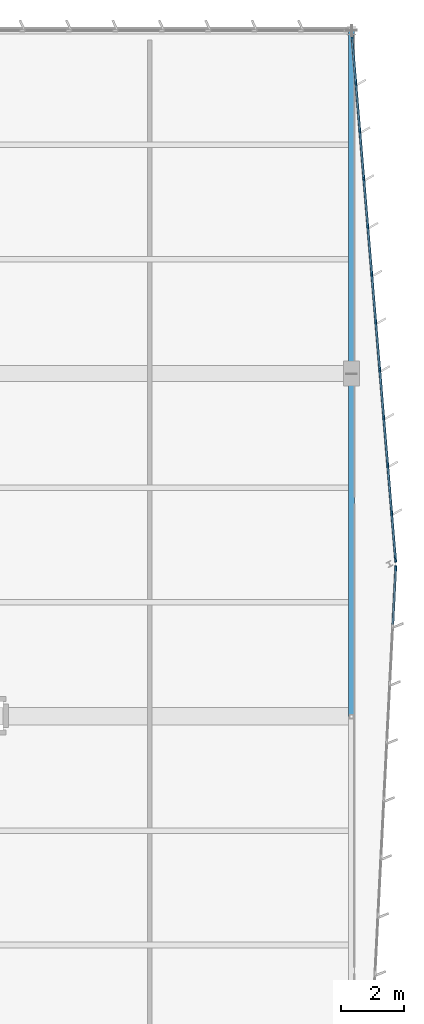
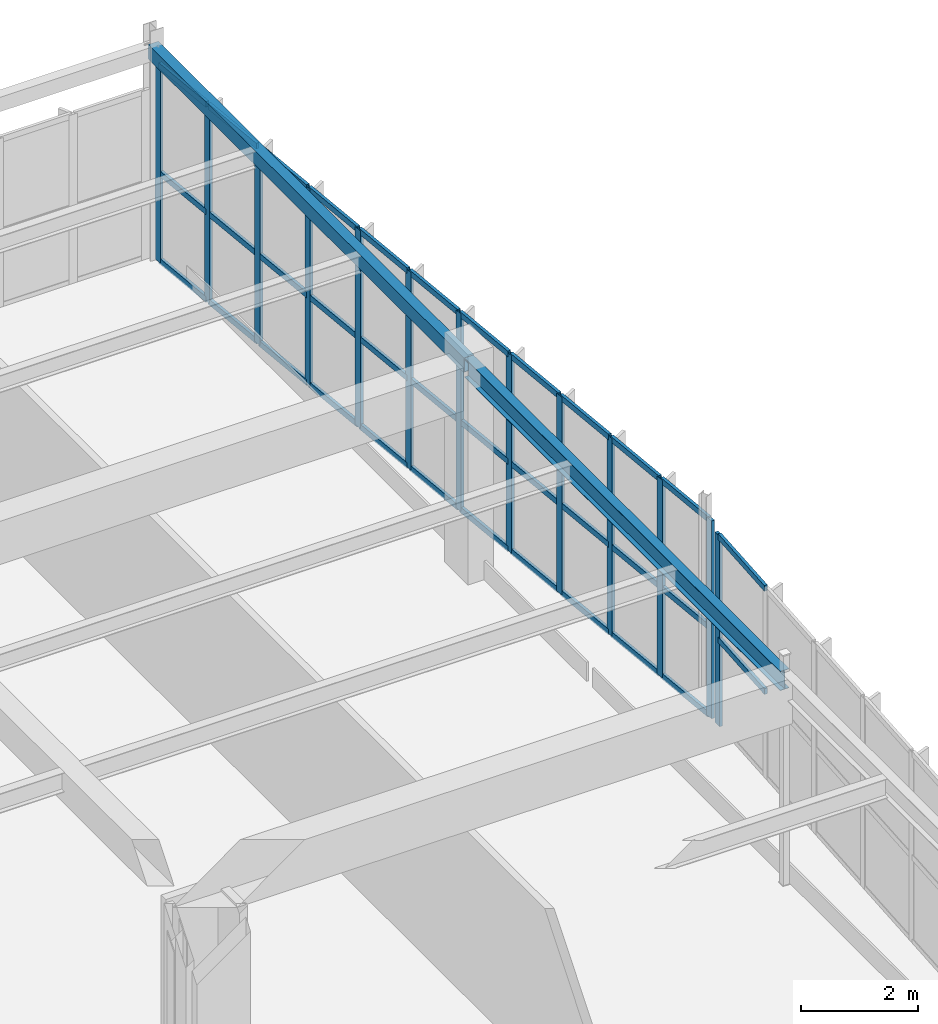
# One storey, part 134 of 226: 48 members, 2 beams, 2 elements without a shape of their own.
"""IFC4 building model written with IfcOpenShell, lengths in metres."""

from ifc_helpers import new_model, si_unit, direction, frame, origin, origin_2d, place, context, subcontext, project, spatial, rectangle, hollow_rectangle, i_section, extrude, material, layer, layer_set, material_profile, profile_set, type_object, element, aggregate, save


model = new_model("IFC4")

# Units and contexts
model_context = context("Model", 3, precision=1e-05, world=origin(), true_north=direction((0.0, 1.0)))
body_context = subcontext(model_context, "Body", "Model", "MODEL_VIEW")
ifc_project = project(units=[si_unit("LENGTHUNIT", "METRE"), si_unit("AREAUNIT", "SQUARE_METRE"), si_unit("VOLUMEUNIT", "CUBIC_METRE"), si_unit("PLANEANGLEUNIT", "RADIAN"), si_unit("MASSUNIT", "GRAM", prefix="KILO")], contexts=[model_context])

# Site, building, storey
site_placement = place(None, origin())
site = spatial("IfcSite", under=ifc_project, at=site_placement, CompositionType="ELEMENT")
building_placement = place(site_placement, origin())
building = spatial("IfcBuilding", under=site, at=building_placement, Name="Tarnwether General Hospital", CompositionType="ELEMENT")
storey_placement = place(building_placement, frame((0.0, 0.0, 4.800048828125)))
storey = spatial("IfcBuildingStorey", under=building, at=storey_placement, Name="L01", CompositionType="ELEMENT", Elevation=4.800048828125)

# Beams
ifc_material_1 = material(Name="Steel Grade 350 (350 MPa)", Category="steel")
ifc_material_profile_1 = material_profile(ifc_material_1, i_section(OverallWidth=0.177978515625, OverallDepth=0.403076171875, WebThickness=0.007568359375, FlangeThickness=0.010986328125, at=origin_2d()), Name="410UB53.7")
ifc_profile_set_1 = profile_set([ifc_material_profile_1], Name="Steel Grade 350 (350 MPa)")
beam_type_1 = type_object("IfcBeamType", Name="BM-SP2", PredefinedType="SPANDREL", material=ifc_profile_set_1)
beam_1_placement = place(storey_placement, frame((192.0, 104.39990234375, 4.243408203125), z_axis=(0.0, 1.0, 0.0), x_axis=(-1.0, 0.0, 0.0)))
element("IfcBeam", 1, at=beam_1_placement, inside=storey, type_object=beam_type_1, Name="Primary Girder BMG-L01-19200_10440-19200_11520-1289", PredefinedType="SPANDREL", context=body_context, shape_type="SweptSolid", body=[
    extrude(i_section(OverallWidth=0.177978515625, OverallDepth=0.403076171875, WebThickness=0.007568359375, FlangeThickness=0.010986328125, at=origin_2d()), origin(), (0.0, 0.0, 1.0), 10.800048828125),
])
ifc_material_2 = material(Name="Steel Grade C350L0 (350 MPa)", Category="steel")
ifc_material_profile_2 = material_profile(ifc_material_2, hollow_rectangle(XDim=0.199951171875, YDim=0.300048828125, WallThickness=0.012451171875, at=origin_2d()), Name="RHS300x200x12.5")
ifc_profile_set_2 = profile_set([ifc_material_profile_2], Name="Steel Grade C350L0 (350 MPa)")
beam_type_2 = type_object("IfcBeamType", Name="BM-SP3", PredefinedType="SPANDREL", material=ifc_profile_set_2)
beam_2_placement = place(storey_placement, frame((192.0, 115.199951171875, 4.294921875), z_axis=(0.0, 1.0, 0.0), x_axis=(-1.0, 0.0, 0.0)))
element("IfcBeam", 2, at=beam_2_placement, inside=storey, type_object=beam_type_2, Name="Primary Girder BMG-L01-19200_11520-19200_12600-1290", PredefinedType="SPANDREL", context=body_context, shape_type="SweptSolid", body=[
    extrude(hollow_rectangle(XDim=0.199951171875, YDim=0.300048828125, WallThickness=0.012451171875, at=origin_2d()), origin(), (0.0, 0.0, 1.0), 10.800048828125),
])

# Curtain wall, members
ifc_material_3 = material(Name="Anodised aluminium", Category="aluminium")
ifc_layer_1 = layer(ifc_material_3, 0.159912109375)
ifc_layer_set_1 = layer_set([ifc_layer_1], Name="Anodised aluminium")
curtain_wall_type_1 = type_object("IfcCurtainWallType", Name="CW-16", PredefinedType="NOTDEFINED", material=ifc_layer_set_1)
curtain_wall_1_placement = place(storey_placement, origin())
curtain_wall_1 = element("IfcCurtainWall", 3, at=curtain_wall_1_placement, inside=storey, type_object=curtain_wall_type_1, Name="Curtain Wall CWG-L01-1920_1259-0397", PredefinedType="NOTDEFINED")
ifc_material_4 = material(Name="Anodised aluminium", Category="aluminium")
ifc_material_profile_3 = material_profile(ifc_material_4, rectangle(XDim=0.06005859375, YDim=0.159912109375, at=origin_2d()), Name="ALU-MUL-60x160")
ifc_profile_set_3 = profile_set([ifc_material_profile_3], Name="Anodised aluminium")
member_type_1 = type_object("IfcMemberType", Name="CW-ML1", PredefinedType="MULLION", material=ifc_profile_set_3)
member_1_placement = place(storey_placement, frame((192.014404296875, 125.8251953125, 0.0), z_axis=(0.0, 0.0, 1.0), x_axis=(0.996544096364, 0.083065420017, 0.0)))
member_1 = element("IfcMember", 4, at=member_1_placement, type_object=member_type_1, Name="CW-16 mullion 1", PredefinedType="MULLION", context=body_context, shape_type="SweptSolid", body=[
    extrude(rectangle(XDim=0.06005859375, YDim=0.159912109375, at=origin_2d()), origin(), (0.0, 0.0, 1.0), 4.1298828125),
])
member_2_placement = place(storey_placement, frame((192.137451171875, 124.35107421875, 0.0), z_axis=(0.0, 0.0, 1.0), x_axis=(0.996544096364, 0.083065420017, 0.0)))
member_2 = element("IfcMember", 5, at=member_2_placement, type_object=member_type_1, Name="CW-16 mullion 2", PredefinedType="MULLION", context=body_context, shape_type="SweptSolid", body=[
    extrude(rectangle(XDim=0.06005859375, YDim=0.159912109375, at=origin_2d()), origin(), (0.0, 0.0, 1.0), 4.1298828125),
])
member_3_placement = place(storey_placement, frame((192.2626953125, 122.846923828125, 0.0), z_axis=(0.0, 0.0, 1.0), x_axis=(0.996544096364, 0.083065420017, 0.0)))
member_3 = element("IfcMember", 6, at=member_3_placement, type_object=member_type_1, Name="CW-16 mullion 3", PredefinedType="MULLION", context=body_context, shape_type="SweptSolid", body=[
    extrude(rectangle(XDim=0.06005859375, YDim=0.159912109375, at=origin_2d()), origin(), (0.0, 0.0, 1.0), 4.1298828125),
])
member_4_placement = place(storey_placement, frame((192.38818359375, 121.343017578125, 0.0), z_axis=(0.0, 0.0, 1.0), x_axis=(0.996544096364, 0.083065420017, 0.0)))
member_4 = element("IfcMember", 7, at=member_4_placement, type_object=member_type_1, Name="CW-16 mullion 4", PredefinedType="MULLION", context=body_context, shape_type="SweptSolid", body=[
    extrude(rectangle(XDim=0.06005859375, YDim=0.159912109375, at=origin_2d()), origin(), (0.0, 0.0, 1.0), 4.1298828125),
])
member_5_placement = place(storey_placement, frame((192.513427734375, 119.839111328125, 0.0), z_axis=(0.0, 0.0, 1.0), x_axis=(0.996544096364, 0.083065420017, 0.0)))
member_5 = element("IfcMember", 8, at=member_5_placement, type_object=member_type_1, Name="CW-16 mullion 5", PredefinedType="MULLION", context=body_context, shape_type="SweptSolid", body=[
    extrude(rectangle(XDim=0.06005859375, YDim=0.159912109375, at=origin_2d()), origin(), (0.0, 0.0, 1.0), 4.1298828125),
])
member_6_placement = place(storey_placement, frame((192.638916015625, 118.3349609375, 0.0), z_axis=(0.0, 0.0, 1.0), x_axis=(0.996544096364, 0.083065420017, 0.0)))
member_6 = element("IfcMember", 9, at=member_6_placement, type_object=member_type_1, Name="CW-16 mullion 6", PredefinedType="MULLION", context=body_context, shape_type="SweptSolid", body=[
    extrude(rectangle(XDim=0.06005859375, YDim=0.159912109375, at=origin_2d()), origin(), (0.0, 0.0, 1.0), 4.1298828125),
])
member_7_placement = place(storey_placement, frame((192.76416015625, 116.8310546875, 0.0), z_axis=(0.0, 0.0, 1.0), x_axis=(0.996544096364, 0.083065420017, 0.0)))
member_7 = element("IfcMember", 10, at=member_7_placement, type_object=member_type_1, Name="CW-16 mullion 7", PredefinedType="MULLION", context=body_context, shape_type="SweptSolid", body=[
    extrude(rectangle(XDim=0.06005859375, YDim=0.159912109375, at=origin_2d()), origin(), (0.0, 0.0, 1.0), 4.1298828125),
])
member_8_placement = place(storey_placement, frame((192.8896484375, 115.326904296875, 0.0), z_axis=(0.0, 0.0, 1.0), x_axis=(0.996544096364, 0.083065420017, 0.0)))
member_8 = element("IfcMember", 11, at=member_8_placement, type_object=member_type_1, Name="CW-16 mullion 8", PredefinedType="MULLION", context=body_context, shape_type="SweptSolid", body=[
    extrude(rectangle(XDim=0.06005859375, YDim=0.159912109375, at=origin_2d()), origin(), (0.0, 0.0, 1.0), 4.1298828125),
])
member_9_placement = place(storey_placement, frame((193.014892578125, 113.822998046875, 0.0), z_axis=(0.0, 0.0, 1.0), x_axis=(0.996544096364, 0.083065420017, 0.0)))
member_9 = element("IfcMember", 12, at=member_9_placement, type_object=member_type_1, Name="CW-16 mullion 9", PredefinedType="MULLION", context=body_context, shape_type="SweptSolid", body=[
    extrude(rectangle(XDim=0.06005859375, YDim=0.159912109375, at=origin_2d()), origin(), (0.0, 0.0, 1.0), 4.1298828125),
])
member_10_placement = place(storey_placement, frame((193.140380859375, 112.319091796875, 0.0), z_axis=(0.0, 0.0, 1.0), x_axis=(0.996544096364, 0.083065420017, 0.0)))
member_10 = element("IfcMember", 13, at=member_10_placement, type_object=member_type_1, Name="CW-16 mullion 10", PredefinedType="MULLION", context=body_context, shape_type="SweptSolid", body=[
    extrude(rectangle(XDim=0.06005859375, YDim=0.159912109375, at=origin_2d()), origin(), (0.0, 0.0, 1.0), 4.1298828125),
])
member_11_placement = place(storey_placement, frame((193.265625, 110.81494140625, 0.0), z_axis=(0.0, 0.0, 1.0), x_axis=(0.996544096364, 0.083065420017, 0.0)))
member_11 = element("IfcMember", 14, at=member_11_placement, type_object=member_type_1, Name="CW-16 mullion 11", PredefinedType="MULLION", context=body_context, shape_type="SweptSolid", body=[
    extrude(rectangle(XDim=0.06005859375, YDim=0.159912109375, at=origin_2d()), origin(), (0.0, 0.0, 1.0), 4.1298828125),
])
member_12_placement = place(storey_placement, frame((193.388427734375, 109.3408203125, 0.0), z_axis=(0.0, 0.0, 1.0), x_axis=(0.996544096364, 0.083065420017, 0.0)))
member_12 = element("IfcMember", 15, at=member_12_placement, type_object=member_type_1, Name="CW-16 mullion 12", PredefinedType="MULLION", context=body_context, shape_type="SweptSolid", body=[
    extrude(rectangle(XDim=0.06005859375, YDim=0.159912109375, at=origin_2d()), origin(), (0.0, 0.0, 1.0), 4.1298828125),
])

# Curtain wall, member
ifc_material_5 = material(Name="Anodised aluminium", Category="aluminium")
ifc_layer_2 = layer(ifc_material_5, 0.159912109375)
ifc_layer_set_2 = layer_set([ifc_layer_2], Name="Anodised aluminium")
curtain_wall_type_2 = type_object("IfcCurtainWallType", Name="CW-17", PredefinedType="NOTDEFINED", material=ifc_layer_set_2)
curtain_wall_2_placement = place(storey_placement, origin())
curtain_wall_2 = element("IfcCurtainWall", 16, at=curtain_wall_2_placement, inside=storey, type_object=curtain_wall_type_2, Name="Curtain Wall CWG-L01-1934_1091-0398", PredefinedType="NOTDEFINED")
member_13_placement = place(storey_placement, frame((193.3935546875, 109.067138671875, 0.0), z_axis=(0.0, 0.0, 1.0), x_axis=(0.998714713444, -0.050684525759, 0.0)))
member_13 = element("IfcMember", 17, at=member_13_placement, type_object=member_type_1, Name="CW-17 mullion 1", PredefinedType="MULLION", context=body_context, shape_type="SweptSolid", body=[
    extrude(rectangle(XDim=0.06005859375, YDim=0.159912109375, at=origin_2d()), origin(), (0.0, 0.0, 1.0), 3.972900390625),
])

# Member
ifc_material_6 = material(Name="Anodised aluminium", Category="aluminium")
ifc_material_profile_4 = material_profile(ifc_material_6, rectangle(XDim=0.06005859375, YDim=0.1201171875, at=origin_2d()), Name="ALU-TRN-60x120")
ifc_profile_set_4 = profile_set([ifc_material_profile_4], Name="Anodised aluminium")
member_type_2 = type_object("IfcMemberType", Name="CW-TR1", PredefinedType="USERDEFINED", material=ifc_profile_set_4)
member_14_placement = place(storey_placement, frame((192.01708984375, 125.795166015625, 0.030029296875), z_axis=(0.082917348196, -0.996556427589, 0.0), x_axis=(0.996556427589, 0.082917348196, 0.0)))
member_14 = element("IfcMember", 18, at=member_14_placement, type_object=member_type_2, Name="CW-16 transom 1.1", ObjectType="TRANSOM", PredefinedType="USERDEFINED", context=body_context, shape_type="SweptSolid", body=[
    extrude(rectangle(XDim=0.06005859375, YDim=0.1201171875, at=origin_2d()), origin(), (0.0, 0.0, 1.0), 1.419189453125),
])

member_15_placement = place(storey_placement, frame((192.01708984375, 125.795166015625, 1.8583984375), z_axis=(0.082917348196, -0.996556427589, 0.0), x_axis=(0.996556427589, 0.082917348196, 0.0)))
member_15 = element("IfcMember", 19, at=member_15_placement, type_object=member_type_2, Name="CW-16 transom 1.2", ObjectType="TRANSOM", PredefinedType="USERDEFINED", context=body_context, shape_type="SweptSolid", body=[
    extrude(rectangle(XDim=0.06005859375, YDim=0.1201171875, at=origin_2d()), origin(), (0.0, 0.0, 1.0), 1.419189453125),
])

member_16_placement = place(storey_placement, frame((192.01708984375, 125.795166015625, 4.099853515625), z_axis=(0.082917348196, -0.996556427589, 0.0), x_axis=(0.996556427589, 0.082917348196, 0.0)))
member_16 = element("IfcMember", 20, at=member_16_placement, type_object=member_type_2, Name="CW-16 transom 1.3", ObjectType="TRANSOM", PredefinedType="USERDEFINED", context=body_context, shape_type="SweptSolid", body=[
    extrude(rectangle(XDim=0.06005859375, YDim=0.1201171875, at=origin_2d()), origin(), (0.0, 0.0, 1.0), 1.419189453125),
])

member_17_placement = place(storey_placement, frame((192.139892578125, 124.321044921875, 0.030029296875), z_axis=(0.083059422814, -0.996544596233, 0.0), x_axis=(0.996544596233, 0.083059422814, 0.0)))
member_17 = element("IfcMember", 21, at=member_17_placement, type_object=member_type_2, Name="CW-16 transom 2.1", ObjectType="TRANSOM", PredefinedType="USERDEFINED", context=body_context, shape_type="SweptSolid", body=[
    extrude(rectangle(XDim=0.06005859375, YDim=0.1201171875, at=origin_2d()), origin(), (0.0, 0.0, 1.0), 1.44921875),
])

member_18_placement = place(storey_placement, frame((192.139892578125, 124.321044921875, 1.8583984375), z_axis=(0.083059422814, -0.996544596233, 0.0), x_axis=(0.996544596233, 0.083059422814, 0.0)))
member_18 = element("IfcMember", 22, at=member_18_placement, type_object=member_type_2, Name="CW-16 transom 2.2", ObjectType="TRANSOM", PredefinedType="USERDEFINED", context=body_context, shape_type="SweptSolid", body=[
    extrude(rectangle(XDim=0.06005859375, YDim=0.1201171875, at=origin_2d()), origin(), (0.0, 0.0, 1.0), 1.44921875),
])

member_19_placement = place(storey_placement, frame((192.139892578125, 124.321044921875, 4.099853515625), z_axis=(0.083059422814, -0.996544596233, 0.0), x_axis=(0.996544596233, 0.083059422814, 0.0)))
member_19 = element("IfcMember", 23, at=member_19_placement, type_object=member_type_2, Name="CW-16 transom 2.3", ObjectType="TRANSOM", PredefinedType="USERDEFINED", context=body_context, shape_type="SweptSolid", body=[
    extrude(rectangle(XDim=0.06005859375, YDim=0.1201171875, at=origin_2d()), origin(), (0.0, 0.0, 1.0), 1.44921875),
])

member_20_placement = place(storey_placement, frame((192.26513671875, 122.817138671875, 0.030029296875), z_axis=(0.083045479854, -0.996545758245, 0.0), x_axis=(0.996545758245, 0.083045479854, 0.0)))
member_20 = element("IfcMember", 24, at=member_20_placement, type_object=member_type_2, Name="CW-16 transom 3.1", ObjectType="TRANSOM", PredefinedType="USERDEFINED", context=body_context, shape_type="SweptSolid", body=[
    extrude(rectangle(XDim=0.06005859375, YDim=0.1201171875, at=origin_2d()), origin(), (0.0, 0.0, 1.0), 1.449462890625),
])

member_21_placement = place(storey_placement, frame((192.26513671875, 122.817138671875, 1.8583984375), z_axis=(0.083045479854, -0.996545758245, 0.0), x_axis=(0.996545758245, 0.083045479854, 0.0)))
member_21 = element("IfcMember", 25, at=member_21_placement, type_object=member_type_2, Name="CW-16 transom 3.2", ObjectType="TRANSOM", PredefinedType="USERDEFINED", context=body_context, shape_type="SweptSolid", body=[
    extrude(rectangle(XDim=0.06005859375, YDim=0.1201171875, at=origin_2d()), origin(), (0.0, 0.0, 1.0), 1.449462890625),
])

member_22_placement = place(storey_placement, frame((192.26513671875, 122.817138671875, 4.099853515625), z_axis=(0.083045479854, -0.996545758245, 0.0), x_axis=(0.996545758245, 0.083045479854, 0.0)))
member_22 = element("IfcMember", 26, at=member_22_placement, type_object=member_type_2, Name="CW-16 transom 3.3", ObjectType="TRANSOM", PredefinedType="USERDEFINED", context=body_context, shape_type="SweptSolid", body=[
    extrude(rectangle(XDim=0.06005859375, YDim=0.1201171875, at=origin_2d()), origin(), (0.0, 0.0, 1.0), 1.449462890625),
])

member_23_placement = place(storey_placement, frame((192.390625, 121.31298828125, 0.030029296875), z_axis=(0.083059422814, -0.996544596233, 0.0), x_axis=(0.996544596233, 0.083059422814, 0.0)))
member_23 = element("IfcMember", 27, at=member_23_placement, type_object=member_type_2, Name="CW-16 transom 4.1", ObjectType="TRANSOM", PredefinedType="USERDEFINED", context=body_context, shape_type="SweptSolid", body=[
    extrude(rectangle(XDim=0.06005859375, YDim=0.1201171875, at=origin_2d()), origin(), (0.0, 0.0, 1.0), 1.44921875),
])

member_24_placement = place(storey_placement, frame((192.390625, 121.31298828125, 1.8583984375), z_axis=(0.083059422814, -0.996544596233, 0.0), x_axis=(0.996544596233, 0.083059422814, 0.0)))
member_24 = element("IfcMember", 28, at=member_24_placement, type_object=member_type_2, Name="CW-16 transom 4.2", ObjectType="TRANSOM", PredefinedType="USERDEFINED", context=body_context, shape_type="SweptSolid", body=[
    extrude(rectangle(XDim=0.06005859375, YDim=0.1201171875, at=origin_2d()), origin(), (0.0, 0.0, 1.0), 1.44921875),
])

member_25_placement = place(storey_placement, frame((192.390625, 121.31298828125, 4.099853515625), z_axis=(0.083059422814, -0.996544596233, 0.0), x_axis=(0.996544596233, 0.083059422814, 0.0)))
member_25 = element("IfcMember", 29, at=member_25_placement, type_object=member_type_2, Name="CW-16 transom 4.3", ObjectType="TRANSOM", PredefinedType="USERDEFINED", context=body_context, shape_type="SweptSolid", body=[
    extrude(rectangle(XDim=0.06005859375, YDim=0.1201171875, at=origin_2d()), origin(), (0.0, 0.0, 1.0), 1.44921875),
])

member_26_placement = place(storey_placement, frame((192.515869140625, 119.80908203125, 0.030029296875), z_axis=(0.083059422814, -0.996544596233, 0.0), x_axis=(0.996544596233, 0.083059422814, 0.0)))
member_26 = element("IfcMember", 30, at=member_26_placement, type_object=member_type_2, Name="CW-16 transom 5.1", ObjectType="TRANSOM", PredefinedType="USERDEFINED", context=body_context, shape_type="SweptSolid", body=[
    extrude(rectangle(XDim=0.06005859375, YDim=0.1201171875, at=origin_2d()), origin(), (0.0, 0.0, 1.0), 1.44921875),
])

member_27_placement = place(storey_placement, frame((192.515869140625, 119.80908203125, 1.8583984375), z_axis=(0.083059422814, -0.996544596233, 0.0), x_axis=(0.996544596233, 0.083059422814, 0.0)))
member_27 = element("IfcMember", 31, at=member_27_placement, type_object=member_type_2, Name="CW-16 transom 5.2", ObjectType="TRANSOM", PredefinedType="USERDEFINED", context=body_context, shape_type="SweptSolid", body=[
    extrude(rectangle(XDim=0.06005859375, YDim=0.1201171875, at=origin_2d()), origin(), (0.0, 0.0, 1.0), 1.44921875),
])

member_28_placement = place(storey_placement, frame((192.515869140625, 119.80908203125, 4.099853515625), z_axis=(0.083059422814, -0.996544596233, 0.0), x_axis=(0.996544596233, 0.083059422814, 0.0)))
member_28 = element("IfcMember", 32, at=member_28_placement, type_object=member_type_2, Name="CW-16 transom 5.3", ObjectType="TRANSOM", PredefinedType="USERDEFINED", context=body_context, shape_type="SweptSolid", body=[
    extrude(rectangle(XDim=0.06005859375, YDim=0.1201171875, at=origin_2d()), origin(), (0.0, 0.0, 1.0), 1.44921875),
])

member_29_placement = place(storey_placement, frame((192.641357421875, 118.30517578125, 0.030029296875), z_axis=(0.083045479854, -0.996545758245, 0.0), x_axis=(0.996545758245, 0.083045479854, 0.0)))
member_29 = element("IfcMember", 33, at=member_29_placement, type_object=member_type_2, Name="CW-16 transom 6.1", ObjectType="TRANSOM", PredefinedType="USERDEFINED", context=body_context, shape_type="SweptSolid", body=[
    extrude(rectangle(XDim=0.06005859375, YDim=0.1201171875, at=origin_2d()), origin(), (0.0, 0.0, 1.0), 1.449462890625),
])

member_30_placement = place(storey_placement, frame((192.641357421875, 118.30517578125, 1.8583984375), z_axis=(0.083045479854, -0.996545758245, 0.0), x_axis=(0.996545758245, 0.083045479854, 0.0)))
member_30 = element("IfcMember", 34, at=member_30_placement, type_object=member_type_2, Name="CW-16 transom 6.2", ObjectType="TRANSOM", PredefinedType="USERDEFINED", context=body_context, shape_type="SweptSolid", body=[
    extrude(rectangle(XDim=0.06005859375, YDim=0.1201171875, at=origin_2d()), origin(), (0.0, 0.0, 1.0), 1.449462890625),
])

member_31_placement = place(storey_placement, frame((192.641357421875, 118.30517578125, 4.099853515625), z_axis=(0.083045479854, -0.996545758245, 0.0), x_axis=(0.996545758245, 0.083045479854, 0.0)))
member_31 = element("IfcMember", 35, at=member_31_placement, type_object=member_type_2, Name="CW-16 transom 6.3", ObjectType="TRANSOM", PredefinedType="USERDEFINED", context=body_context, shape_type="SweptSolid", body=[
    extrude(rectangle(XDim=0.06005859375, YDim=0.1201171875, at=origin_2d()), origin(), (0.0, 0.0, 1.0), 1.449462890625),
])

member_32_placement = place(storey_placement, frame((192.7666015625, 116.801025390625, 0.030029296875), z_axis=(0.083059422814, -0.996544596233, 0.0), x_axis=(0.996544596233, 0.083059422814, 0.0)))
member_32 = element("IfcMember", 36, at=member_32_placement, type_object=member_type_2, Name="CW-16 transom 7.1", ObjectType="TRANSOM", PredefinedType="USERDEFINED", context=body_context, shape_type="SweptSolid", body=[
    extrude(rectangle(XDim=0.06005859375, YDim=0.1201171875, at=origin_2d()), origin(), (0.0, 0.0, 1.0), 1.44921875),
])

member_33_placement = place(storey_placement, frame((192.7666015625, 116.801025390625, 1.8583984375), z_axis=(0.083059422814, -0.996544596233, 0.0), x_axis=(0.996544596233, 0.083059422814, 0.0)))
member_33 = element("IfcMember", 37, at=member_33_placement, type_object=member_type_2, Name="CW-16 transom 7.2", ObjectType="TRANSOM", PredefinedType="USERDEFINED", context=body_context, shape_type="SweptSolid", body=[
    extrude(rectangle(XDim=0.06005859375, YDim=0.1201171875, at=origin_2d()), origin(), (0.0, 0.0, 1.0), 1.44921875),
])

member_34_placement = place(storey_placement, frame((192.7666015625, 116.801025390625, 4.099853515625), z_axis=(0.083059422814, -0.996544596233, 0.0), x_axis=(0.996544596233, 0.083059422814, 0.0)))
member_34 = element("IfcMember", 38, at=member_34_placement, type_object=member_type_2, Name="CW-16 transom 7.3", ObjectType="TRANSOM", PredefinedType="USERDEFINED", context=body_context, shape_type="SweptSolid", body=[
    extrude(rectangle(XDim=0.06005859375, YDim=0.1201171875, at=origin_2d()), origin(), (0.0, 0.0, 1.0), 1.44921875),
])

member_35_placement = place(storey_placement, frame((192.89208984375, 115.297119140625, 0.030029296875), z_axis=(0.083045479854, -0.996545758245, 0.0), x_axis=(0.996545758245, 0.083045479854, 0.0)))
member_35 = element("IfcMember", 39, at=member_35_placement, type_object=member_type_2, Name="CW-16 transom 8.1", ObjectType="TRANSOM", PredefinedType="USERDEFINED", context=body_context, shape_type="SweptSolid", body=[
    extrude(rectangle(XDim=0.06005859375, YDim=0.1201171875, at=origin_2d()), origin(), (0.0, 0.0, 1.0), 1.449462890625),
])

member_36_placement = place(storey_placement, frame((192.89208984375, 115.297119140625, 1.8583984375), z_axis=(0.083045479854, -0.996545758245, 0.0), x_axis=(0.996545758245, 0.083045479854, 0.0)))
member_36 = element("IfcMember", 40, at=member_36_placement, type_object=member_type_2, Name="CW-16 transom 8.2", ObjectType="TRANSOM", PredefinedType="USERDEFINED", context=body_context, shape_type="SweptSolid", body=[
    extrude(rectangle(XDim=0.06005859375, YDim=0.1201171875, at=origin_2d()), origin(), (0.0, 0.0, 1.0), 1.449462890625),
])

member_37_placement = place(storey_placement, frame((192.89208984375, 115.297119140625, 4.099853515625), z_axis=(0.083045479854, -0.996545758245, 0.0), x_axis=(0.996545758245, 0.083045479854, 0.0)))
member_37 = element("IfcMember", 41, at=member_37_placement, type_object=member_type_2, Name="CW-16 transom 8.3", ObjectType="TRANSOM", PredefinedType="USERDEFINED", context=body_context, shape_type="SweptSolid", body=[
    extrude(rectangle(XDim=0.06005859375, YDim=0.1201171875, at=origin_2d()), origin(), (0.0, 0.0, 1.0), 1.449462890625),
])

member_38_placement = place(storey_placement, frame((193.017333984375, 113.793212890625, 0.030029296875), z_axis=(0.083045479854, -0.996545758245, 0.0), x_axis=(0.996545758245, 0.083045479854, 0.0)))
member_38 = element("IfcMember", 42, at=member_38_placement, type_object=member_type_2, Name="CW-16 transom 9.1", ObjectType="TRANSOM", PredefinedType="USERDEFINED", context=body_context, shape_type="SweptSolid", body=[
    extrude(rectangle(XDim=0.06005859375, YDim=0.1201171875, at=origin_2d()), origin(), (0.0, 0.0, 1.0), 1.449462890625),
])

member_39_placement = place(storey_placement, frame((193.017333984375, 113.793212890625, 1.8583984375), z_axis=(0.083045479854, -0.996545758245, 0.0), x_axis=(0.996545758245, 0.083045479854, 0.0)))
member_39 = element("IfcMember", 43, at=member_39_placement, type_object=member_type_2, Name="CW-16 transom 9.2", ObjectType="TRANSOM", PredefinedType="USERDEFINED", context=body_context, shape_type="SweptSolid", body=[
    extrude(rectangle(XDim=0.06005859375, YDim=0.1201171875, at=origin_2d()), origin(), (0.0, 0.0, 1.0), 1.449462890625),
])

member_40_placement = place(storey_placement, frame((193.017333984375, 113.793212890625, 4.099853515625), z_axis=(0.083045479854, -0.996545758245, 0.0), x_axis=(0.996545758245, 0.083045479854, 0.0)))
member_40 = element("IfcMember", 44, at=member_40_placement, type_object=member_type_2, Name="CW-16 transom 9.3", ObjectType="TRANSOM", PredefinedType="USERDEFINED", context=body_context, shape_type="SweptSolid", body=[
    extrude(rectangle(XDim=0.06005859375, YDim=0.1201171875, at=origin_2d()), origin(), (0.0, 0.0, 1.0), 1.449462890625),
])

member_41_placement = place(storey_placement, frame((193.142822265625, 112.2890625, 0.030029296875), z_axis=(0.083059422814, -0.996544596233, 0.0), x_axis=(0.996544596233, 0.083059422814, 0.0)))
member_41 = element("IfcMember", 45, at=member_41_placement, type_object=member_type_2, Name="CW-16 transom 10.1", ObjectType="TRANSOM", PredefinedType="USERDEFINED", context=body_context, shape_type="SweptSolid", body=[
    extrude(rectangle(XDim=0.06005859375, YDim=0.1201171875, at=origin_2d()), origin(), (0.0, 0.0, 1.0), 1.44921875),
])

member_42_placement = place(storey_placement, frame((193.142822265625, 112.2890625, 1.8583984375), z_axis=(0.083059422814, -0.996544596233, 0.0), x_axis=(0.996544596233, 0.083059422814, 0.0)))
member_42 = element("IfcMember", 46, at=member_42_placement, type_object=member_type_2, Name="CW-16 transom 10.2", ObjectType="TRANSOM", PredefinedType="USERDEFINED", context=body_context, shape_type="SweptSolid", body=[
    extrude(rectangle(XDim=0.06005859375, YDim=0.1201171875, at=origin_2d()), origin(), (0.0, 0.0, 1.0), 1.44921875),
])

member_43_placement = place(storey_placement, frame((193.142822265625, 112.2890625, 4.099853515625), z_axis=(0.083059422814, -0.996544596233, 0.0), x_axis=(0.996544596233, 0.083059422814, 0.0)))
member_43 = element("IfcMember", 47, at=member_43_placement, type_object=member_type_2, Name="CW-16 transom 10.3", ObjectType="TRANSOM", PredefinedType="USERDEFINED", context=body_context, shape_type="SweptSolid", body=[
    extrude(rectangle(XDim=0.06005859375, YDim=0.1201171875, at=origin_2d()), origin(), (0.0, 0.0, 1.0), 1.44921875),
])

member_44_placement = place(storey_placement, frame((193.26806640625, 110.78515625, 0.030029296875), z_axis=(0.083088189491, -0.996542198187, 0.0), x_axis=(0.996542198187, 0.083088189491, 0.0)))
member_44 = element("IfcMember", 48, at=member_44_placement, type_object=member_type_2, Name="CW-16 transom 11.1", ObjectType="TRANSOM", PredefinedType="USERDEFINED", context=body_context, shape_type="SweptSolid", body=[
    extrude(rectangle(XDim=0.06005859375, YDim=0.1201171875, at=origin_2d()), origin(), (0.0, 0.0, 1.0), 1.419189453125),
])

member_45_placement = place(storey_placement, frame((193.26806640625, 110.78515625, 1.8583984375), z_axis=(0.083088189491, -0.996542198187, 0.0), x_axis=(0.996542198187, 0.083088189491, 0.0)))
member_45 = element("IfcMember", 49, at=member_45_placement, type_object=member_type_2, Name="CW-16 transom 11.2", ObjectType="TRANSOM", PredefinedType="USERDEFINED", context=body_context, shape_type="SweptSolid", body=[
    extrude(rectangle(XDim=0.06005859375, YDim=0.1201171875, at=origin_2d()), origin(), (0.0, 0.0, 1.0), 1.419189453125),
])

member_46_placement = place(storey_placement, frame((193.26806640625, 110.78515625, 4.099853515625), z_axis=(0.083088189491, -0.996542198187, 0.0), x_axis=(0.996542198187, 0.083088189491, 0.0)))
member_46 = element("IfcMember", 50, at=member_46_placement, type_object=member_type_2, Name="CW-16 transom 11.3", ObjectType="TRANSOM", PredefinedType="USERDEFINED", context=body_context, shape_type="SweptSolid", body=[
    extrude(rectangle(XDim=0.06005859375, YDim=0.1201171875, at=origin_2d()), origin(), (0.0, 0.0, 1.0), 1.419189453125),
])

aggregate(curtain_wall_1, [member_1, member_2, member_3, member_4, member_5, member_6, member_7, member_8, member_9, member_10, member_11, member_12, member_14, member_15, member_16, member_17, member_18, member_19, member_20, member_21, member_22, member_23, member_24, member_25, member_26, member_27, member_28, member_29, member_30, member_31, member_32, member_33, member_34, member_35, member_36, member_37, member_38, member_39, member_40, member_41, member_42, member_43, member_44, member_45, member_46])

member_47_placement = place(storey_placement, frame((193.391845703125, 109.037109375, 1.787841796875), z_axis=(-0.050665592798, -0.998715674107, 0.0), x_axis=(0.998715674107, -0.050665592798, 0.0)))
member_47 = element("IfcMember", 51, at=member_47_placement, type_object=member_type_2, Name="CW-17 transom 1.2", ObjectType="TRANSOM", PredefinedType="USERDEFINED", context=body_context, shape_type="SweptSolid", body=[
    extrude(rectangle(XDim=0.06005859375, YDim=0.1201171875, at=origin_2d()), origin(), (0.0, 0.0, 1.0), 1.739501953125),
])

member_48_placement = place(storey_placement, frame((193.391845703125, 109.037109375, 3.94287109375), z_axis=(-0.050665592798, -0.998715674107, 0.0), x_axis=(0.998715674107, -0.050665592798, 0.0)))
member_48 = element("IfcMember", 52, at=member_48_placement, type_object=member_type_2, Name="CW-17 transom 1.3", ObjectType="TRANSOM", PredefinedType="USERDEFINED", context=body_context, shape_type="SweptSolid", body=[
    extrude(rectangle(XDim=0.06005859375, YDim=0.1201171875, at=origin_2d()), origin(), (0.0, 0.0, 1.0), 1.739501953125),
])

aggregate(curtain_wall_2, [member_13, member_47, member_48])

save(model, "model.ifc")
